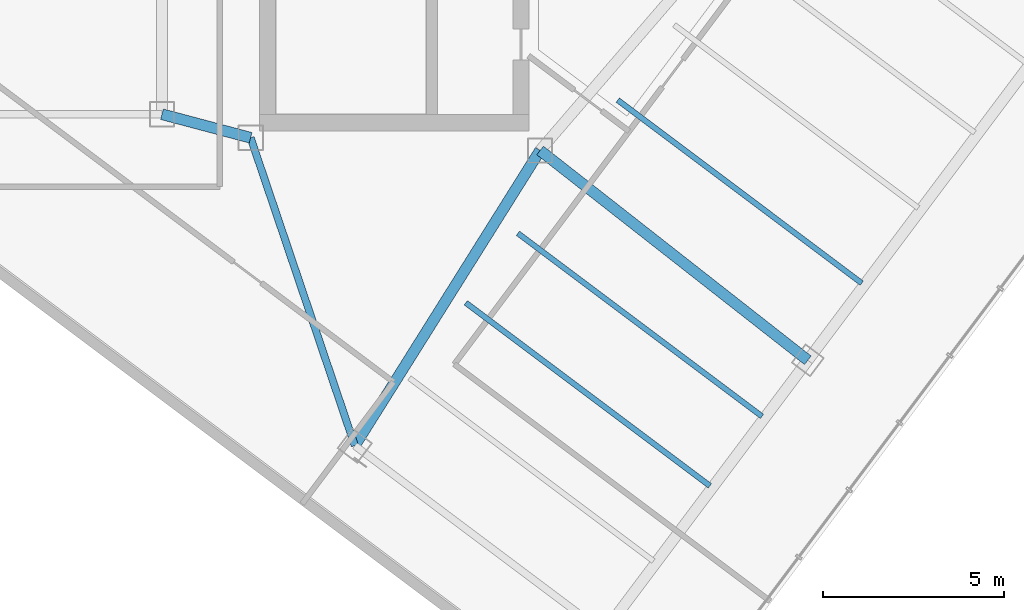
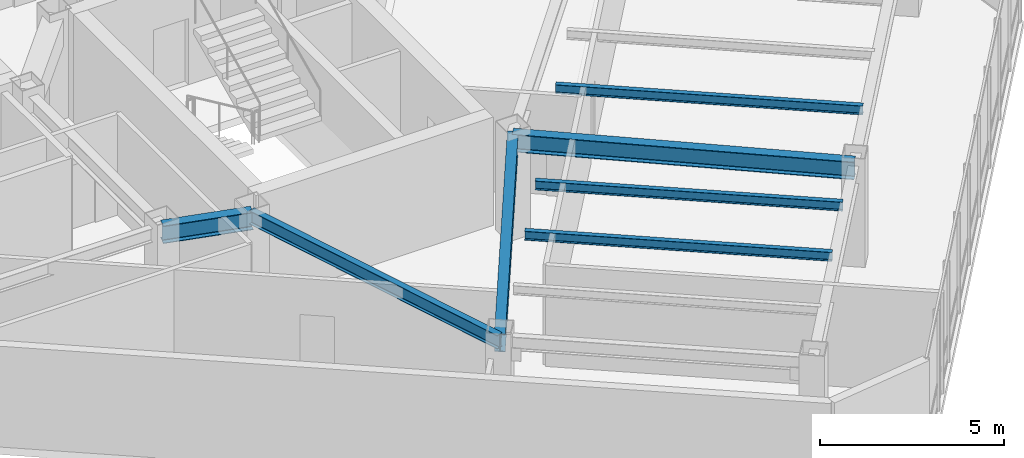
# One storey, part 3 of 25: 7 beams.
"""IFC4 building model written with IfcOpenShell, lengths in metres."""

from ifc_helpers import new_model, si_unit, direction, frame, origin, origin_2d, place, context, subcontext, project, spatial, i_section, extrude, material, material_profile, profile_set, type_object, element, save


model = new_model("IFC4")

# Units and contexts
model_context = context("Model", 3, precision=1e-05, world=origin(), true_north=direction((0.0, 1.0)))
body_context = subcontext(model_context, "Body", "Model", "MODEL_VIEW")
ifc_project = project(units=[si_unit("LENGTHUNIT", "METRE"), si_unit("AREAUNIT", "SQUARE_METRE"), si_unit("VOLUMEUNIT", "CUBIC_METRE"), si_unit("PLANEANGLEUNIT", "RADIAN"), si_unit("MASSUNIT", "GRAM", prefix="KILO")], contexts=[model_context])

# Site, building, storey
site_placement = place(None, origin())
site = spatial("IfcSite", under=ifc_project, at=site_placement, CompositionType="ELEMENT")
building_placement = place(site_placement, origin())
building = spatial("IfcBuilding", under=site, at=building_placement, Name="Hatsunagi Terrace Concourse", CompositionType="ELEMENT")
storey_placement = place(building_placement, frame((0.0, 0.0, 220.35009765625)))
storey = spatial("IfcBuildingStorey", under=building, at=storey_placement, Name="L58", CompositionType="ELEMENT", Elevation=220.35009765625)

# Beams
ifc_material_1 = material(Name="Steel SN490B", Category="steel")
ifc_material_profile_1 = material_profile(ifc_material_1, i_section(OverallWidth=0.300048828125, OverallDepth=0.587890625, WebThickness=0.011962890625, FlangeThickness=0.02001953125, FilletRadius=0.01806640625, at=origin_2d()), Name="H-588x300x12x20")
ifc_profile_set_1 = profile_set([ifc_material_profile_1], Name="Steel SN490B")
beam_type_1 = type_object("IfcBeamType", Name="OfficeHighGirder_H_588x300", PredefinedType="BEAM", material=ifc_profile_set_1)
beam_1_placement = place(storey_placement, frame((33.35009765625, 25.199951171875, 3.055908203125), z_axis=(0.966569840116, -0.256403479262, 0.0), x_axis=(0.256403479262, 0.966569840116, 0.0)))
element("IfcBeam", 1, at=beam_1_placement, inside=storey, type_object=beam_type_1, Name="Beam G-06 BM-L58-K2CB", PredefinedType="BEAM", context=body_context, shape_type="SweptSolid", body=[
    extrude(i_section(OverallWidth=0.300048828125, OverallDepth=0.587890625, WebThickness=0.011962890625, FlangeThickness=0.02001953125, FilletRadius=0.01806640625, at=origin_2d()), origin(), (0.0, 0.0, 1.0), 2.53466796875),
])
beam_2_placement = place(storey_placement, frame((38.679931640625, 16.0400390625, 3.055908203125), z_axis=(0.531503907049, 0.847055840421, 0.0), x_axis=(-0.847055840421, 0.531503907049, 0.0)))
element("IfcBeam", 2, at=beam_2_placement, inside=storey, type_object=beam_type_1, Name="Beam G-06 BM-L58-SET-1A", PredefinedType="BEAM", context=body_context, shape_type="SweptSolid", body=[
    extrude(i_section(OverallWidth=0.300048828125, OverallDepth=0.587890625, WebThickness=0.011962890625, FlangeThickness=0.02001953125, FilletRadius=0.01806640625, at=origin_2d()), origin(), (0.0, 0.0, 1.0), 9.63330078125),
])
beam_3_placement = place(storey_placement, frame((43.800048828125, 24.199951171875, 3.055908203125), z_axis=(0.787049441068, -0.616889923175, 0.0), x_axis=(0.616889923175, 0.787049441068, 0.0)))
element("IfcBeam", 3, at=beam_3_placement, inside=storey, type_object=beam_type_1, Name="Beam G-06 BM-L58-SE-M2", PredefinedType="BEAM", context=body_context, shape_type="SweptSolid", body=[
    extrude(i_section(OverallWidth=0.300048828125, OverallDepth=0.587890625, WebThickness=0.011962890625, FlangeThickness=0.02001953125, FilletRadius=0.01806640625, at=origin_2d()), origin(), (0.0, 0.0, 1.0), 9.402099609375),
])
ifc_material_2 = material(Name="Steel SN490B", Category="steel")
ifc_material_profile_2 = material_profile(ifc_material_2, i_section(OverallWidth=0.14990234375, OverallDepth=0.300048828125, WebThickness=0.006591796875, FlangeThickness=0.009033203125, FilletRadius=0.010986328125, at=origin_2d()), Name="H-300x150x6.5x9")
ifc_profile_set_2 = profile_set([ifc_material_profile_2], Name="Steel SN490B")
beam_type_2 = type_object("IfcBeamType", Name="OfficeJoist_H_300x150", PredefinedType="JOIST", material=ifc_profile_set_2)
for number, where, z_axis, x_axis, name in (
    (4, (41.748046875, 19.989013671875, 3.199951171875), (0.799989573921, -0.600013901187, 0.0), (0.600013901187, 0.799989573921, 0.0), "Beam J-03 J-L58-SE-2-72"),
    (5, (43.18798828125, 21.908935546875, 3.199951171875), (0.800003475366, -0.59999536615, 0.0), (0.59999536615, 0.800003475366, 0.0), "Beam J-03 J-L58-SE-2-96"),
    (6, (45.947998046875, 25.589111328125, 3.199951171875), (0.799989573921, -0.600013901187, 0.0), (0.600013901187, 0.799989573921, 0.0), "Beam J-03 J-L58-SE-2-142"),
):
    element("IfcBeam", number, at=place(storey_placement, frame(where, z_axis=z_axis, x_axis=x_axis)), inside=storey, type_object=beam_type_2, Name=name, PredefinedType="JOIST", context=body_context, shape_type="SweptSolid", body=[
        extrude(i_section(OverallWidth=0.14990234375, OverallDepth=0.300048828125, WebThickness=0.006591796875, FlangeThickness=0.009033203125, FilletRadius=0.010986328125, at=origin_2d()), origin(), (0.0, 0.0, 1.0), 8.429931640625),
    ])
ifc_material_3 = material(Name="Steel SN490B", Category="steel")
ifc_material_profile_3 = material_profile(ifc_material_3, i_section(OverallWidth=0.199951171875, OverallDepth=0.449951171875, WebThickness=0.009033203125, FlangeThickness=0.013916015625, FilletRadius=0.01611328125, at=origin_2d()), Name="H-450x200x9x14")
ifc_profile_set_3 = profile_set([ifc_material_profile_3], Name="Steel SN490B")
beam_type_3 = type_object("IfcBeamType", Name="PerimeterSpandrel_H_450x200", PredefinedType="SPANDREL", material=ifc_profile_set_3)
beam_4_placement = place(storey_placement, frame((35.800048828125, 24.550048828125, 3.125), z_axis=(0.320553412271, -0.947230441805, 0.0), x_axis=(0.947230441805, 0.320553412271, 0.0)))
element("IfcBeam", 7, at=beam_4_placement, inside=storey, type_object=beam_type_3, Name="Beam SP-02 BM-L58-SE-SW0", PredefinedType="SPANDREL", context=body_context, shape_type="SweptSolid", body=[
    extrude(i_section(OverallWidth=0.199951171875, OverallDepth=0.449951171875, WebThickness=0.009033203125, FlangeThickness=0.013916015625, FilletRadius=0.01611328125, at=origin_2d()), origin(), (0.0, 0.0, 1.0), 8.984130859375),
])

save(model, "model.ifc")
